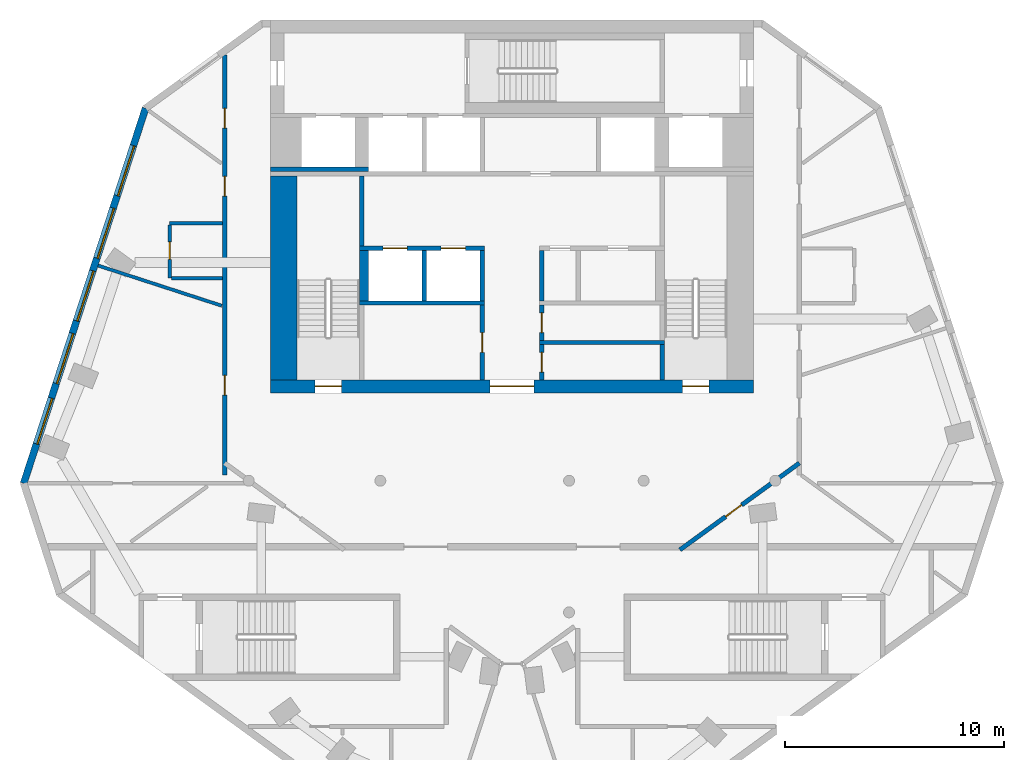
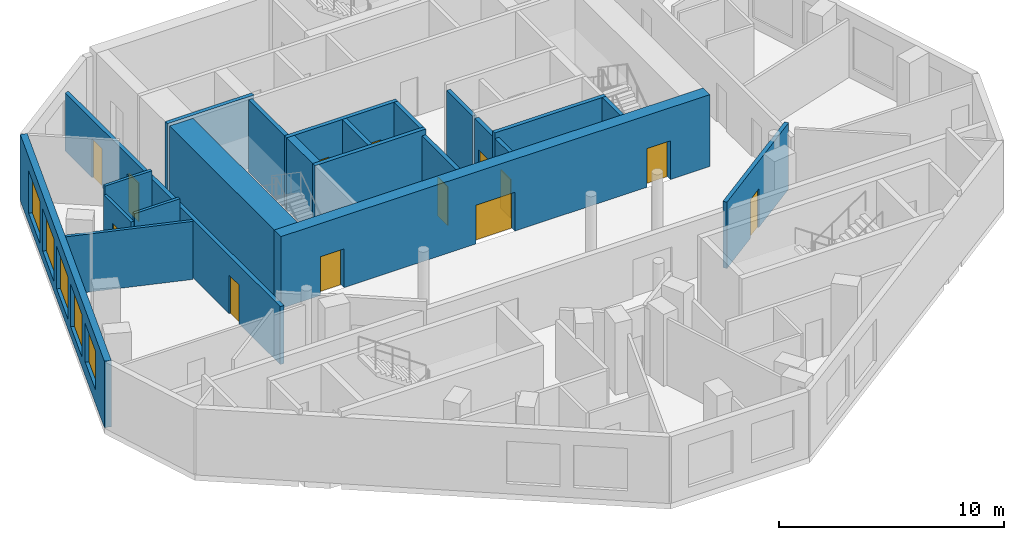
# One storey, part 3 of 8: 22 walls, 13 doors, 5 windows, 18 openings.
"""IFC4 building model written with IfcOpenShell, lengths in metres."""

from ifc_helpers import new_model, si_unit, direction, frame, frame_2d, origin, place, context, subcontext, project, spatial, rectangle, extrude, material, layer, layer_set, type_object, element, fill, save


model = new_model("IFC4")

# Units and contexts
model_context = context("Model", 3, precision=1e-05, world=origin(), true_north=direction((0.0, 1.0)))
body_context = subcontext(model_context, "Body", "Model", "MODEL_VIEW")
ifc_project = project(units=[si_unit("LENGTHUNIT", "METRE"), si_unit("AREAUNIT", "SQUARE_METRE"), si_unit("VOLUMEUNIT", "CUBIC_METRE"), si_unit("PLANEANGLEUNIT", "RADIAN"), si_unit("MASSUNIT", "GRAM", prefix="KILO")], contexts=[model_context])

# Site, building, storey
site_placement = place(None, origin())
site = spatial("IfcSite", under=ifc_project, at=site_placement, CompositionType="ELEMENT")
building_placement = place(site_placement, origin())
building = spatial("IfcBuilding", under=site, at=building_placement, Name="White Candle Pilgrim Tower", CompositionType="ELEMENT")
storey_placement = place(building_placement, frame((0.0, 0.0, 310.0)))
storey = spatial("IfcBuildingStorey", under=building, at=storey_placement, Name="L73", CompositionType="ELEMENT", Elevation=310.0)

# Wall
ifc_material_1 = material(Name="Concrete C40/50", Category="concrete")
ifc_layer_1 = layer(ifc_material_1, 0.199951171875)
ifc_layer_set_1 = layer_set([ifc_layer_1], Name="Core wall 200 mm Concrete C40/50")
wall_type_1 = type_object("IfcWallType", Name="Core wall 200 mm Concrete C40/50", PredefinedType="SHEAR", material=ifc_layer_set_1)
wall_1_placement = place(storey_placement, frame((59.0, 81.199951171875, 0.0), z_axis=(0.0, 0.0, 1.0), x_axis=(1.0, 0.0, 0.0)))
element("IfcWall", 1, at=wall_1_placement, inside=storey, type_object=wall_type_1, Name="WL-L73-C34", PredefinedType="SHEAR", context=body_context, shape_type="SweptSolid", body=[
    extrude(rectangle(XDim=4.449951171875, YDim=0.199951171875, at=frame_2d((2.22509765625, 0.0))), origin(), (0.0, 0.0, 1.0), 3.89990234375),
])

# Wall, openings, doors
ifc_material_2 = material(Name="Gypsum board on steel studs", Category="steel")
ifc_layer_2 = layer(ifc_material_2, 0.199951171875)
ifc_layer_set_2 = layer_set([ifc_layer_2], Name="Corridor wall 200 mm EI 45")
wall_type_2 = type_object("IfcWallType", Name="Corridor wall 200 mm EI 45", PredefinedType="PARTITIONING", material=ifc_layer_set_2)
wall_2_placement = place(storey_placement, frame((56.89990234375, 67.252197265625, 0.0), z_axis=(0.0, 0.0, 1.0), x_axis=(0.0, 1.0, 0.0)))
wall_2 = element("IfcWall", 2, at=wall_2_placement, inside=storey, type_object=wall_type_2, Name="WL-L73-P004", PredefinedType="PARTITIONING", context=body_context, shape_type="SweptSolid", body=[
    extrude(rectangle(XDim=19.14404296875, YDim=0.199951171875, at=frame_2d((9.572021484375, 0.0))), origin(), (0.0, 0.0, 1.0), 3.14990234375),
])
opening_1_placement = place(wall_2_placement, frame((3.655517578125, 0.0, 0.0)))
opening_1 = element("IfcOpeningElement", 3, at=opening_1_placement, cuts=wall_2, Name="Opening T22-110", PredefinedType="OPENING", context=body_context, shape_type="SweptSolid", body=[
    extrude(rectangle(XDim=0.89990234375, YDim=2.10009765625, at=frame_2d((0.449951171875, 1.050048828125))), frame((0.0, 0.10986328125, 0.0), z_axis=(0.0, -1.0, 0.0), x_axis=(1.0, 0.0, 0.0)), (0.0, 0.0, 1.0), 0.219970703125),
])
opening_2_placement = place(wall_2_placement, frame((12.722412109375, 0.0, 0.0)))
opening_2 = element("IfcOpeningElement", 4, at=opening_2_placement, cuts=wall_2, Name="Opening T22-111", PredefinedType="OPENING", context=body_context, shape_type="SweptSolid", body=[
    extrude(rectangle(XDim=0.89990234375, YDim=2.10009765625, at=frame_2d((0.449951171875, 1.050048828125))), frame((0.0, 0.10986328125, 0.0), z_axis=(0.0, -1.0, 0.0), x_axis=(1.0, 0.0, 0.0)), (0.0, 0.0, 1.0), 0.219970703125),
])
opening_3_placement = place(wall_2_placement, frame((15.822509765625, 0.0, 0.0)))
opening_3 = element("IfcOpeningElement", 5, at=opening_3_placement, cuts=wall_2, Name="Opening T22-112", PredefinedType="OPENING", context=body_context, shape_type="SweptSolid", body=[
    extrude(rectangle(XDim=0.89990234375, YDim=2.10009765625, at=frame_2d((0.449951171875, 1.050048828125))), frame((0.0, 0.10986328125, 0.0), z_axis=(0.0, -1.0, 0.0), x_axis=(1.0, 0.0, 0.0)), (0.0, 0.0, 1.0), 0.219970703125),
])
ifc_material_3 = material(Name="Steel door leaf", Category="steel")
door_type_1 = type_object("IfcDoorType", Name="Fire door 900 x 2100 EI 30", OperationType="NOTDEFINED", PredefinedType="DOOR", material=ifc_material_3)
door_1_placement = place(opening_1_placement, origin())
door_1 = element("IfcDoor", 6, at=door_1_placement, inside=storey, type_object=door_type_1, Name="Door T22-110", OperationType="SINGLE_SWING_RIGHT", OverallHeight=2.10009765625, OverallWidth=0.89990234375, PredefinedType="DOOR", context=body_context, shape_type="SweptSolid", body=[
    extrude(rectangle(XDim=0.89990234375, YDim=2.10009765625, at=frame_2d((0.449951171875, 1.050048828125))), frame((0.0, 0.02490234375, 0.0), z_axis=(0.0, -1.0, 0.0), x_axis=(1.0, 0.0, 0.0)), (0.0, 0.0, 1.0), 0.050048828125),
])
fill(opening_1, door_1)
door_2_placement = place(opening_2_placement, origin())
door_2 = element("IfcDoor", 7, at=door_2_placement, inside=storey, type_object=door_type_1, Name="Door T22-111", OperationType="SINGLE_SWING_LEFT", OverallHeight=2.10009765625, OverallWidth=0.89990234375, PredefinedType="DOOR", context=body_context, shape_type="SweptSolid", body=[
    extrude(rectangle(XDim=0.89990234375, YDim=2.10009765625, at=frame_2d((0.449951171875, 1.050048828125))), frame((0.0, 0.02490234375, 0.0), z_axis=(0.0, -1.0, 0.0), x_axis=(1.0, 0.0, 0.0)), (0.0, 0.0, 1.0), 0.050048828125),
])
fill(opening_2, door_2)
door_3_placement = place(opening_3_placement, origin())
door_3 = element("IfcDoor", 8, at=door_3_placement, inside=storey, type_object=door_type_1, Name="Door T22-112", OperationType="SINGLE_SWING_RIGHT", OverallHeight=2.10009765625, OverallWidth=0.89990234375, PredefinedType="DOOR", context=body_context, shape_type="SweptSolid", body=[
    extrude(rectangle(XDim=0.89990234375, YDim=2.10009765625, at=frame_2d((0.449951171875, 1.050048828125))), frame((0.0, 0.02490234375, 0.0), z_axis=(0.0, -1.0, 0.0), x_axis=(1.0, 0.0, 0.0)), (0.0, 0.0, 1.0), 0.050048828125),
])
fill(opening_3, door_3)

# Wall, opening, door
wall_3_placement = place(storey_placement, frame((83.10009765625, 67.80859375, 0.0), z_axis=(0.0, 0.0, 1.0), x_axis=(-0.809033820778, -0.587762092038, 0.0)))
wall_3 = element("IfcWall", 9, at=wall_3_placement, inside=storey, type_object=wall_type_2, Name="WL-L73-P006", PredefinedType="PARTITIONING", context=body_context, shape_type="SweptSolid", body=[
    extrude(rectangle(XDim=6.73486328125, YDim=0.199951171875, at=frame_2d((3.367431640625, 0.0))), origin(), (0.0, 0.0, 1.0), 3.60009765625),
])
opening_4_placement = place(wall_3_placement, frame((3.254150390625, 0.0, 0.0)))
opening_4 = element("IfcOpeningElement", 10, at=opening_4_placement, cuts=wall_3, Name="Opening T22-118", PredefinedType="OPENING", context=body_context, shape_type="SweptSolid", body=[
    extrude(rectangle(XDim=0.89990234375, YDim=2.10009765625, at=frame_2d((0.449951171875, 1.050048828125))), frame((0.0, 0.10986328125, 0.0), z_axis=(0.0, -1.0, 0.0), x_axis=(1.0, 0.0, 0.0)), (0.0, 0.0, 1.0), 0.219970703125),
])
door_4_placement = place(opening_4_placement, origin())
door_4 = element("IfcDoor", 11, at=door_4_placement, inside=storey, type_object=door_type_1, Name="Door T22-118", OperationType="SINGLE_SWING_RIGHT", OverallHeight=2.10009765625, OverallWidth=0.89990234375, PredefinedType="DOOR", context=body_context, shape_type="SweptSolid", body=[
    extrude(rectangle(XDim=0.89990234375, YDim=2.10009765625, at=frame_2d((0.449951171875, 1.050048828125))), frame((0.0, 0.02490234375, 0.0), z_axis=(0.0, -1.0, 0.0), x_axis=(1.0, 0.0, 0.0)), (0.0, 0.0, 1.0), 0.050048828125),
])
fill(opening_4, door_4)

# Wall, openings, windows
ifc_material_4 = material(Name="Precast concrete C40/50", Category="concrete")
ifc_layer_3 = layer(ifc_material_4, 0.320068359375)
ifc_layer_set_3 = layer_set([ifc_layer_3], Name="Facade wall EW1 precast concrete C40/50 pier wall with timber-lined reveals")
wall_type_3 = type_object("IfcWallType", Name="Facade wall EW1 precast concrete C40/50 pier wall with timber-lined reveals", PredefinedType="SOLIDWALL", material=ifc_layer_set_3)
wall_4_placement = place(storey_placement, frame((53.298095703125, 83.97705078125, 0.0), z_axis=(0.0, 0.0, 1.0), x_axis=(-0.309017883781, -0.951056227309, 0.0)))
wall_4 = element("IfcWall", 12, at=wall_4_placement, inside=storey, type_object=wall_type_3, Name="Facade wall L73 WNW", PredefinedType="SOLIDWALL", context=body_context, shape_type="SweptSolid", body=[
    extrude(rectangle(XDim=17.972900390625, YDim=0.320068359375, at=frame_2d((8.986328125, 0.0))), origin(), (0.0, 0.0, 1.0), 3.60009765625),
])
opening_5_placement = place(wall_4_placement, frame((1.78662109375, 0.0, 0.550048828125)))
opening_5 = element("IfcOpeningElement", 13, at=opening_5_placement, cuts=wall_4, Name="Opening W5", PredefinedType="OPENING", context=body_context, shape_type="SweptSolid", body=[
    extrude(rectangle(XDim=2.39990234375, YDim=2.300048828125, at=frame_2d((1.199951171875, 1.14990234375))), frame((0.0, 0.169921875, 0.0), z_axis=(0.0, -1.0, 0.0), x_axis=(1.0, 0.0, 0.0)), (0.0, 0.0, 1.0), 0.340087890625),
])
opening_6_placement = place(wall_4_placement, frame((4.78662109375, 0.0, 0.550048828125)))
opening_6 = element("IfcOpeningElement", 14, at=opening_6_placement, cuts=wall_4, Name="Opening W5", PredefinedType="OPENING", context=body_context, shape_type="SweptSolid", body=[
    extrude(rectangle(XDim=2.39990234375, YDim=2.300048828125, at=frame_2d((1.199951171875, 1.14990234375))), frame((0.0, 0.169921875, 0.0), z_axis=(0.0, -1.0, 0.0), x_axis=(1.0, 0.0, 0.0)), (0.0, 0.0, 1.0), 0.340087890625),
])
opening_7_placement = place(wall_4_placement, frame((7.78662109375, 0.0, 0.550048828125)))
opening_7 = element("IfcOpeningElement", 15, at=opening_7_placement, cuts=wall_4, Name="Opening W5", PredefinedType="OPENING", context=body_context, shape_type="SweptSolid", body=[
    extrude(rectangle(XDim=2.39990234375, YDim=2.300048828125, at=frame_2d((1.199951171875, 1.14990234375))), frame((0.0, 0.169921875, 0.0), z_axis=(0.0, -1.0, 0.0), x_axis=(1.0, 0.0, 0.0)), (0.0, 0.0, 1.0), 0.340087890625),
])
opening_8_placement = place(wall_4_placement, frame((10.78662109375, 0.0, 0.550048828125)))
opening_8 = element("IfcOpeningElement", 16, at=opening_8_placement, cuts=wall_4, Name="Opening W5", PredefinedType="OPENING", context=body_context, shape_type="SweptSolid", body=[
    extrude(rectangle(XDim=2.39990234375, YDim=2.300048828125, at=frame_2d((1.199951171875, 1.14990234375))), frame((0.0, 0.169921875, 0.0), z_axis=(0.0, -1.0, 0.0), x_axis=(1.0, 0.0, 0.0)), (0.0, 0.0, 1.0), 0.340087890625),
])
opening_9_placement = place(wall_4_placement, frame((13.886474609375, 0.0, 0.75)))
opening_9 = element("IfcOpeningElement", 17, at=opening_9_placement, cuts=wall_4, Name="Opening W4", PredefinedType="OPENING", context=body_context, shape_type="SweptSolid", body=[
    extrude(rectangle(XDim=2.199951171875, YDim=2.10009765625, at=frame_2d((1.10009765625, 1.050048828125))), frame((0.0, 0.169921875, 0.0), z_axis=(0.0, -1.0, 0.0), x_axis=(1.0, 0.0, 0.0)), (0.0, 0.0, 1.0), 0.340087890625),
])
ifc_material_5 = material(Name="Timber frame with triple glazing", Category="wood")
window_type_1 = type_object("IfcWindowType", Name="Window W4 2200x2100 timber frame triple glazing", PartitioningType="SINGLE_PANEL", PredefinedType="WINDOW", material=ifc_material_5)
window_1_placement = place(opening_9_placement, origin())
window_1 = element("IfcWindow", 18, at=window_1_placement, inside=storey, type_object=window_type_1, Name="Window W4 L73 WNW 5", OverallHeight=2.10009765625, OverallWidth=2.199951171875, PartitioningType="SINGLE_PANEL", PredefinedType="WINDOW", context=body_context, shape_type="SweptSolid", body=[
    extrude(rectangle(XDim=2.199951171875, YDim=2.10009765625, at=frame_2d((1.10009765625, 1.050048828125))), frame((0.0, 0.070068359375, 0.0), z_axis=(0.0, -1.0, 0.0), x_axis=(1.0, 0.0, 0.0)), (0.0, 0.0, 1.0), 0.06005859375),
])
fill(opening_9, window_1)
window_type_2 = type_object("IfcWindowType", Name="Window W5 2400x2300 timber frame triple glazing", PartitioningType="SINGLE_PANEL", PredefinedType="WINDOW", material=ifc_material_5)
window_2_placement = place(opening_5_placement, origin())
window_2 = element("IfcWindow", 19, at=window_2_placement, inside=storey, type_object=window_type_2, Name="Window W5 L73 WNW 1", OverallHeight=2.300048828125, OverallWidth=2.39990234375, PartitioningType="SINGLE_PANEL", PredefinedType="WINDOW", context=body_context, shape_type="SweptSolid", body=[
    extrude(rectangle(XDim=2.39990234375, YDim=2.300048828125, at=frame_2d((1.199951171875, 1.14990234375))), frame((0.0, 0.070068359375, 0.0), z_axis=(0.0, -1.0, 0.0), x_axis=(1.0, 0.0, 0.0)), (0.0, 0.0, 1.0), 0.06005859375),
])
fill(opening_5, window_2)
window_3_placement = place(opening_6_placement, origin())
window_3 = element("IfcWindow", 20, at=window_3_placement, inside=storey, type_object=window_type_2, Name="Window W5 L73 WNW 2", OverallHeight=2.300048828125, OverallWidth=2.39990234375, PartitioningType="SINGLE_PANEL", PredefinedType="WINDOW", context=body_context, shape_type="SweptSolid", body=[
    extrude(rectangle(XDim=2.39990234375, YDim=2.300048828125, at=frame_2d((1.199951171875, 1.14990234375))), frame((0.0, 0.070068359375, 0.0), z_axis=(0.0, -1.0, 0.0), x_axis=(1.0, 0.0, 0.0)), (0.0, 0.0, 1.0), 0.06005859375),
])
fill(opening_6, window_3)
window_4_placement = place(opening_7_placement, origin())
window_4 = element("IfcWindow", 21, at=window_4_placement, inside=storey, type_object=window_type_2, Name="Window W5 L73 WNW 3", OverallHeight=2.300048828125, OverallWidth=2.39990234375, PartitioningType="SINGLE_PANEL", PredefinedType="WINDOW", context=body_context, shape_type="SweptSolid", body=[
    extrude(rectangle(XDim=2.39990234375, YDim=2.300048828125, at=frame_2d((1.199951171875, 1.14990234375))), frame((0.0, 0.070068359375, 0.0), z_axis=(0.0, -1.0, 0.0), x_axis=(1.0, 0.0, 0.0)), (0.0, 0.0, 1.0), 0.06005859375),
])
fill(opening_7, window_4)
window_5_placement = place(opening_8_placement, origin())
window_5 = element("IfcWindow", 22, at=window_5_placement, inside=storey, type_object=window_type_2, Name="Window W5 L73 WNW 4", OverallHeight=2.300048828125, OverallWidth=2.39990234375, PartitioningType="SINGLE_PANEL", PredefinedType="WINDOW", context=body_context, shape_type="SweptSolid", body=[
    extrude(rectangle(XDim=2.39990234375, YDim=2.300048828125, at=frame_2d((1.199951171875, 1.14990234375))), frame((0.0, 0.070068359375, 0.0), z_axis=(0.0, -1.0, 0.0), x_axis=(1.0, 0.0, 0.0)), (0.0, 0.0, 1.0), 0.06005859375),
])
fill(opening_8, window_5)

# Wall, opening, door
ifc_layer_4 = layer(ifc_material_2, 0.199951171875)
ifc_layer_set_4 = layer_set([ifc_layer_4], Name="Lobby wall 200 mm EI 60")
wall_type_4 = type_object("IfcWallType", Name="Lobby wall 200 mm EI 60", PredefinedType="PARTITIONING", material=ifc_layer_set_4)
wall_5_placement = place(storey_placement, frame((68.64990234375, 71.60009765625, 0.0), z_axis=(0.0, 0.0, 1.0), x_axis=(0.0, 1.0, 0.0)))
wall_5 = element("IfcWall", 23, at=wall_5_placement, inside=storey, type_object=wall_type_4, Name="WL-L73-C14", PredefinedType="PARTITIONING", context=body_context, shape_type="SweptSolid", body=[
    extrude(rectangle(XDim=3.39990234375, YDim=0.199951171875, at=frame_2d((1.699951171875, 0.0))), origin(), (0.0, 0.0, 1.0), 3.60009765625),
])
opening_10_placement = place(wall_5_placement, frame((1.25, 0.0, 0.0)))
opening_10 = element("IfcOpeningElement", 24, at=opening_10_placement, cuts=wall_5, Name="Opening T22-005", PredefinedType="OPENING", context=body_context, shape_type="SweptSolid", body=[
    extrude(rectangle(XDim=0.89990234375, YDim=2.10009765625, at=frame_2d((0.449951171875, 1.050048828125))), frame((0.0, 0.10986328125, 0.0), z_axis=(0.0, -1.0, 0.0), x_axis=(1.0, 0.0, 0.0)), (0.0, 0.0, 1.0), 0.219970703125),
])
door_5_placement = place(opening_10_placement, origin())
door_5 = element("IfcDoor", 25, at=door_5_placement, inside=storey, type_object=door_type_1, Name="Door T22-005", OperationType="SINGLE_SWING_LEFT", OverallHeight=2.10009765625, OverallWidth=0.89990234375, PredefinedType="DOOR", context=body_context, shape_type="SweptSolid", body=[
    extrude(rectangle(XDim=0.89990234375, YDim=2.10009765625, at=frame_2d((0.449951171875, 1.050048828125))), frame((0.0, 0.02490234375, 0.0), z_axis=(0.0, -1.0, 0.0), x_axis=(1.0, 0.0, 0.0)), (0.0, 0.0, 1.0), 0.050048828125),
])
fill(opening_10, door_5)

wall_6_placement = place(storey_placement, frame((71.35009765625, 71.60009765625, 0.0), z_axis=(0.0, 0.0, 1.0), x_axis=(0.0, 1.0, 0.0)))
wall_6 = element("IfcWall", 26, at=wall_6_placement, inside=storey, type_object=wall_type_4, Name="WL-L73-C15", PredefinedType="PARTITIONING", context=body_context, shape_type="SweptSolid", body=[
    extrude(rectangle(XDim=1.599853515625, YDim=0.199951171875, at=frame_2d((0.7998046875, 0.0))), origin(), (0.0, 0.0, 1.0), 3.60009765625),
])
opening_11_placement = place(wall_6_placement, frame((0.35009765625, 0.0, 0.0)))
opening_11 = element("IfcOpeningElement", 27, at=opening_11_placement, cuts=wall_6, Name="Opening T22-006", PredefinedType="OPENING", context=body_context, shape_type="SweptSolid", body=[
    extrude(rectangle(XDim=0.89990234375, YDim=2.10009765625, at=frame_2d((0.449951171875, 1.050048828125))), frame((0.0, 0.10986328125, 0.0), z_axis=(0.0, -1.0, 0.0), x_axis=(1.0, 0.0, 0.0)), (0.0, 0.0, 1.0), 0.219970703125),
])
door_6_placement = place(opening_11_placement, origin())
door_6 = element("IfcDoor", 28, at=door_6_placement, inside=storey, type_object=door_type_1, Name="Door T22-006", OperationType="SINGLE_SWING_RIGHT", OverallHeight=2.10009765625, OverallWidth=0.89990234375, PredefinedType="DOOR", context=body_context, shape_type="SweptSolid", body=[
    extrude(rectangle(XDim=0.89990234375, YDim=2.10009765625, at=frame_2d((0.449951171875, 1.050048828125))), frame((0.0, 0.02490234375, 0.0), z_axis=(0.0, -1.0, 0.0), x_axis=(1.0, 0.0, 0.0)), (0.0, 0.0, 1.0), 0.050048828125),
])
fill(opening_11, door_6)

wall_7_placement = place(storey_placement, frame((71.35009765625, 73.39990234375, 0.0), z_axis=(0.0, 0.0, 1.0), x_axis=(0.0, 1.0, 0.0)))
wall_7 = element("IfcWall", 29, at=wall_7_placement, inside=storey, type_object=wall_type_4, Name="WL-L73-C19", PredefinedType="PARTITIONING", context=body_context, shape_type="SweptSolid", body=[
    extrude(rectangle(XDim=1.60009765625, YDim=0.199951171875, at=frame_2d((0.800048828125, 0.0))), origin(), (0.0, 0.0, 1.0), 3.60009765625),
])
opening_12_placement = place(wall_7_placement, frame((0.35009765625, 0.0, 0.0)))
opening_12 = element("IfcOpeningElement", 30, at=opening_12_placement, cuts=wall_7, Name="Opening T22-007", PredefinedType="OPENING", context=body_context, shape_type="SweptSolid", body=[
    extrude(rectangle(XDim=0.89990234375, YDim=2.10009765625, at=frame_2d((0.449951171875, 1.050048828125))), frame((0.0, 0.10986328125, 0.0), z_axis=(0.0, -1.0, 0.0), x_axis=(1.0, 0.0, 0.0)), (0.0, 0.0, 1.0), 0.219970703125),
])
door_7_placement = place(opening_12_placement, origin())
door_7 = element("IfcDoor", 31, at=door_7_placement, inside=storey, type_object=door_type_1, Name="Door T22-007", OperationType="SINGLE_SWING_LEFT", OverallHeight=2.10009765625, OverallWidth=0.89990234375, PredefinedType="DOOR", context=body_context, shape_type="SweptSolid", body=[
    extrude(rectangle(XDim=0.89990234375, YDim=2.10009765625, at=frame_2d((0.449951171875, 1.050048828125))), frame((0.0, 0.02490234375, 0.0), z_axis=(0.0, -1.0, 0.0), x_axis=(1.0, 0.0, 0.0)), (0.0, 0.0, 1.0), 0.050048828125),
])
fill(opening_12, door_7)

# Walls
wall_8_placement = place(storey_placement, frame((71.35009765625, 75.199951171875, 0.0), z_axis=(0.0, 0.0, 1.0), x_axis=(0.0, 1.0, 0.0)))
element("IfcWall", 32, at=wall_8_placement, inside=storey, type_object=wall_type_4, Name="WL-L73-C26", PredefinedType="PARTITIONING", context=body_context, shape_type="SweptSolid", body=[
    extrude(rectangle(XDim=2.300048828125, YDim=0.199951171875, at=frame_2d((1.14990234375, 0.0))), origin(), (0.0, 0.0, 1.0), 3.60009765625),
])
ifc_layer_5 = layer(ifc_material_2, 0.14990234375)
ifc_layer_set_5 = layer_set([ifc_layer_5], Name="Partition 150 mm EI 60")
wall_type_5 = type_object("IfcWallType", Name="Partition 150 mm EI 60", PredefinedType="PARTITIONING", material=ifc_layer_set_5)
wall_9_placement = place(storey_placement, frame((51.136962890625, 76.8076171875, 0.0), z_axis=(0.0, 0.0, 1.0), x_axis=(0.951056152135, -0.309018115143, 0.0)))
element("IfcWall", 33, at=wall_9_placement, inside=storey, type_object=wall_type_5, Name="WL-L73-P025", PredefinedType="PARTITIONING", context=body_context, shape_type="SweptSolid", body=[
    extrude(rectangle(XDim=5.93017578125, YDim=0.14990234375, at=frame_2d((2.965087890625, 0.0))), origin(), (0.0, 0.0, 1.0), 3.14990234375),
])
wall_10_placement = place(storey_placement, frame((56.800048828125, 78.735107421875, 0.0), z_axis=(0.0, 0.0, 1.0), x_axis=(-1.0, 0.0, 0.0)))
element("IfcWall", 34, at=wall_10_placement, inside=storey, type_object=wall_type_5, Name="WL-L73-P026", PredefinedType="PARTITIONING", context=body_context, shape_type="SweptSolid", body=[
    extrude(rectangle(XDim=2.400146484375, YDim=0.14990234375, at=frame_2d((1.2001953125, 0.0))), origin(), (0.0, 0.0, 1.0), 3.60009765625),
])

# Wall, opening, door
wall_11_placement = place(storey_placement, frame((54.39990234375, 76.235107421875, 0.0), z_axis=(0.0, 0.0, 1.0), x_axis=(0.0, 1.0, 0.0)))
wall_11 = element("IfcWall", 35, at=wall_11_placement, inside=storey, type_object=wall_type_5, Name="WL-L73-P027", PredefinedType="PARTITIONING", context=body_context, shape_type="SweptSolid", body=[
    extrude(rectangle(XDim=2.425048828125, YDim=0.14990234375, at=frame_2d((1.21240234375, 0.0))), origin(), (0.0, 0.0, 1.0), 3.14990234375),
])
opening_13_placement = place(wall_11_placement, frame((0.85009765625, 0.0, 0.0)))
opening_13 = element("IfcOpeningElement", 36, at=opening_13_placement, cuts=wall_11, Name="Opening T22-101", PredefinedType="OPENING", context=body_context, shape_type="SweptSolid", body=[
    extrude(rectangle(XDim=0.800048828125, YDim=2.10009765625, at=frame_2d((0.39990234375, 1.050048828125))), frame((0.0, 0.0849609375, 0.0), z_axis=(0.0, -1.0, 0.0), x_axis=(1.0, 0.0, 0.0)), (0.0, 0.0, 1.0), 0.169921875),
])
door_type_2 = type_object("IfcDoorType", Name="Fire door 800 x 2100 EI 30", OperationType="NOTDEFINED", PredefinedType="DOOR", material=ifc_material_3)
door_8_placement = place(opening_13_placement, origin())
door_8 = element("IfcDoor", 37, at=door_8_placement, inside=storey, type_object=door_type_2, Name="Door T22-101", OperationType="SINGLE_SWING_LEFT", OverallHeight=2.10009765625, OverallWidth=0.800048828125, PredefinedType="DOOR", context=body_context, shape_type="SweptSolid", body=[
    extrude(rectangle(XDim=0.800048828125, YDim=2.10009765625, at=frame_2d((0.39990234375, 1.050048828125))), frame((0.0, 0.02490234375, 0.0), z_axis=(0.0, -1.0, 0.0), x_axis=(1.0, 0.0, 0.0)), (0.0, 0.0, 1.0), 0.050048828125),
])
fill(opening_13, door_8)

# Walls
wall_12_placement = place(storey_placement, frame((56.800048828125, 76.235107421875, 0.0), z_axis=(0.0, 0.0, 1.0), x_axis=(-1.0, 0.0, 0.0)))
element("IfcWall", 38, at=wall_12_placement, inside=storey, type_object=wall_type_5, Name="WL-L73-P028", PredefinedType="PARTITIONING", context=body_context, shape_type="SweptSolid", body=[
    extrude(rectangle(XDim=2.324951171875, YDim=0.14990234375, at=frame_2d((1.16259765625, 0.0))), origin(), (0.0, 0.0, 1.0), 3.60009765625),
])
ifc_layer_6 = layer(ifc_material_1, 0.199951171875)
ifc_layer_set_6 = layer_set([ifc_layer_6], Name="Shaft wall 200 mm Concrete C40/50")
wall_type_6 = type_object("IfcWallType", Name="Shaft wall 200 mm Concrete C40/50", PredefinedType="SHEAR", material=ifc_layer_set_6)
for number, where, z_axis, x_axis, name in (
    (39, (66.0, 75.199951171875, 0.0), (0.0, 0.0, 1.0), (0.0, 1.0, 0.0), "WL-L73-C24"),
    (40, (68.64990234375, 75.199951171875, 0.0), (0.0, 0.0, 1.0), (0.0, 1.0, 0.0), "WL-L73-C25"),
):
    element("IfcWall", number, at=place(storey_placement, frame(where, z_axis=z_axis, x_axis=x_axis)), inside=storey, type_object=wall_type_6, Name=name, PredefinedType="SHEAR", context=body_context, shape_type="SweptSolid", body=[
        extrude(rectangle(XDim=2.300048828125, YDim=0.199951171875, at=frame_2d((1.14990234375, 0.0))), origin(), (0.0, 0.0, 1.0), 3.89990234375),
    ])
ifc_layer_7 = layer(ifc_material_1, 1.199951171875)
ifc_layer_set_7 = layer_set([ifc_layer_7], Name="Stair shaft wall 1200 mm Concrete C40/50")
wall_type_7 = type_object("IfcWallType", Name="Stair shaft wall 1200 mm Concrete C40/50", PredefinedType="SHEAR", material=ifc_layer_set_7)
wall_13_placement = place(storey_placement, frame((59.60009765625, 71.60009765625, 0.0), z_axis=(0.0, 0.0, 1.0), x_axis=(0.0, 1.0, 0.0)))
element("IfcWall", 41, at=wall_13_placement, inside=storey, type_object=wall_type_7, Name="WL-L73-C12", PredefinedType="SHEAR", context=body_context, shape_type="SweptSolid", body=[
    extrude(rectangle(XDim=9.2998046875, YDim=1.199951171875, at=frame_2d((4.64990234375, 0.0))), origin(), (0.0, 0.0, 1.0), 3.89990234375),
])
ifc_layer_8 = layer(ifc_material_1, 0.199951171875)
ifc_layer_set_8 = layer_set([ifc_layer_8], Name="Stair shaft wall 200 mm Concrete C40/50")
wall_type_8 = type_object("IfcWallType", Name="Stair shaft wall 200 mm Concrete C40/50", PredefinedType="SHEAR", material=ifc_layer_set_8)
wall_14_placement = place(storey_placement, frame((76.85009765625, 71.60009765625, 0.0), z_axis=(0.0, 0.0, 1.0), x_axis=(0.0, 1.0, 0.0)))
element("IfcWall", 42, at=wall_14_placement, inside=storey, type_object=wall_type_8, Name="WL-L73-C16", PredefinedType="SHEAR", context=body_context, shape_type="SweptSolid", body=[
    extrude(rectangle(XDim=1.599853515625, YDim=0.199951171875, at=frame_2d((0.7998046875, 0.0))), origin(), (0.0, 0.0, 1.0), 3.89990234375),
])
for number, where, z_axis, x_axis, name in (
    (43, (71.25, 73.300048828125, 0.0), (0.0, 0.0, 1.0), (1.0, 0.0, 0.0), "WL-L73-C18"),
    (44, (63.050048828125, 75.10009765625, 0.0), (0.0, 0.0, 1.0), (1.0, 0.0, 0.0), "WL-L73-C21"),
):
    element("IfcWall", number, at=place(storey_placement, frame(where, z_axis=z_axis, x_axis=x_axis)), inside=storey, type_object=wall_type_8, Name=name, PredefinedType="SHEAR", context=body_context, shape_type="SweptSolid", body=[
        extrude(rectangle(XDim=5.699951171875, YDim=0.199951171875, at=frame_2d((2.85009765625, 0.0))), origin(), (0.0, 0.0, 1.0), 3.89990234375),
    ])

# Wall, openings, doors
wall_15_placement = place(storey_placement, frame((63.050048828125, 77.60009765625, 0.0), z_axis=(0.0, 0.0, 1.0), x_axis=(1.0, 0.0, 0.0)))
wall_15 = element("IfcWall", 45, at=wall_15_placement, inside=storey, type_object=wall_type_8, Name="WL-L73-C29", PredefinedType="SHEAR", context=body_context, shape_type="SweptSolid", body=[
    extrude(rectangle(XDim=5.699951171875, YDim=0.199951171875, at=frame_2d((2.85009765625, 0.0))), origin(), (0.0, 0.0, 1.0), 3.89990234375),
])
opening_14_placement = place(wall_15_placement, frame((1.074951171875, 0.0, 0.0)))
opening_14 = element("IfcOpeningElement", 46, at=opening_14_placement, cuts=wall_15, Name="Opening T22-014", PredefinedType="OPENING", context=body_context, shape_type="SweptSolid", body=[
    extrude(rectangle(XDim=1.10009765625, YDim=2.10009765625, at=frame_2d((0.550048828125, 1.050048828125))), frame((0.0, 0.10986328125, 0.0), z_axis=(0.0, -1.0, 0.0), x_axis=(1.0, 0.0, 0.0)), (0.0, 0.0, 1.0), 0.219970703125),
])
opening_15_placement = place(wall_15_placement, frame((3.72509765625, 0.0, 0.0)))
opening_15 = element("IfcOpeningElement", 47, at=opening_15_placement, cuts=wall_15, Name="Opening T22-015", PredefinedType="OPENING", context=body_context, shape_type="SweptSolid", body=[
    extrude(rectangle(XDim=1.10009765625, YDim=2.10009765625, at=frame_2d((0.550048828125, 1.050048828125))), frame((0.0, 0.10986328125, 0.0), z_axis=(0.0, -1.0, 0.0), x_axis=(1.0, 0.0, 0.0)), (0.0, 0.0, 1.0), 0.219970703125),
])
ifc_material_6 = material(Name="Stainless steel", Category="steel")
door_type_3 = type_object("IfcDoorType", Name="Lift landing door 1100 x 2100 E 60", OperationType="DOUBLE_DOOR_SLIDING", PredefinedType="DOOR", material=ifc_material_6)
door_9_placement = place(opening_14_placement, origin())
door_9 = element("IfcDoor", 48, at=door_9_placement, inside=storey, type_object=door_type_3, Name="Door T22-014", OperationType="DOUBLE_DOOR_SLIDING", OverallHeight=2.10009765625, OverallWidth=1.10009765625, PredefinedType="DOOR", context=body_context, shape_type="SweptSolid", body=[
    extrude(rectangle(XDim=1.10009765625, YDim=2.10009765625, at=frame_2d((0.550048828125, 1.050048828125))), frame((0.0, 0.02490234375, 0.0), z_axis=(0.0, -1.0, 0.0), x_axis=(1.0, 0.0, 0.0)), (0.0, 0.0, 1.0), 0.050048828125),
])
fill(opening_14, door_9)
door_10_placement = place(opening_15_placement, origin())
door_10 = element("IfcDoor", 49, at=door_10_placement, inside=storey, type_object=door_type_3, Name="Door T22-015", OperationType="DOUBLE_DOOR_SLIDING", OverallHeight=2.10009765625, OverallWidth=1.10009765625, PredefinedType="DOOR", context=body_context, shape_type="SweptSolid", body=[
    extrude(rectangle(XDim=1.10009765625, YDim=2.10009765625, at=frame_2d((0.550048828125, 1.050048828125))), frame((0.0, 0.02490234375, 0.0), z_axis=(0.0, -1.0, 0.0), x_axis=(1.0, 0.0, 0.0)), (0.0, 0.0, 1.0), 0.050048828125),
])
fill(opening_15, door_10)

# Walls
wall_16_placement = place(storey_placement, frame((63.14990234375, 77.699951171875, 0.0), z_axis=(0.0, 0.0, 1.0), x_axis=(0.0, 1.0, 0.0)))
element("IfcWall", 50, at=wall_16_placement, inside=storey, type_object=wall_type_8, Name="WL-L73-C31", PredefinedType="SHEAR", context=body_context, shape_type="SweptSolid", body=[
    extrude(rectangle(XDim=3.199951171875, YDim=0.199951171875, at=frame_2d((1.60009765625, 0.0))), origin(), (0.0, 0.0, 1.0), 3.89990234375),
])
ifc_layer_9 = layer(ifc_material_1, 0.39990234375)
ifc_layer_set_9 = layer_set([ifc_layer_9], Name="Stair shaft wall 400 mm Concrete C40/50")
wall_type_9 = type_object("IfcWallType", Name="Stair shaft wall 400 mm Concrete C40/50", PredefinedType="SHEAR", material=ifc_layer_set_9)
wall_17_placement = place(storey_placement, frame((63.25, 75.199951171875, 0.0), z_axis=(0.0, 0.0, 1.0), x_axis=(0.0, 1.0, 0.0)))
element("IfcWall", 51, at=wall_17_placement, inside=storey, type_object=wall_type_9, Name="WL-L73-C23", PredefinedType="SHEAR", context=body_context, shape_type="SweptSolid", body=[
    extrude(rectangle(XDim=2.300048828125, YDim=0.39990234375, at=frame_2d((1.14990234375, 0.0))), origin(), (0.0, 0.0, 1.0), 3.89990234375),
])

# Wall, openings, doors
ifc_layer_10 = layer(ifc_material_1, 0.60009765625)
ifc_layer_set_10 = layer_set([ifc_layer_10], Name="Stair shaft wall 600 mm Concrete C40/50")
wall_type_10 = type_object("IfcWallType", Name="Stair shaft wall 600 mm Concrete C40/50", PredefinedType="SHEAR", material=ifc_layer_set_10)
wall_18_placement = place(storey_placement, frame((59.0, 71.300048828125, 0.0), z_axis=(0.0, 0.0, 1.0), x_axis=(1.0, 0.0, 0.0)))
wall_18 = element("IfcWall", 52, at=wall_18_placement, inside=storey, type_object=wall_type_10, Name="WL-L73-C11", PredefinedType="SHEAR", context=body_context, shape_type="SweptSolid", body=[
    extrude(rectangle(XDim=22.0, YDim=0.60009765625, at=frame_2d((11.0, 0.0))), origin(), (0.0, 0.0, 1.0), 3.89990234375),
])
opening_16_placement = place(wall_18_placement, frame((2.02490234375, 0.0, 0.0)))
opening_16 = element("IfcOpeningElement", 53, at=opening_16_placement, cuts=wall_18, Name="Opening T22-001", PredefinedType="OPENING", context=body_context, shape_type="SweptSolid", body=[
    extrude(rectangle(XDim=1.199951171875, YDim=2.10009765625, at=frame_2d((0.60009765625, 1.050048828125))), frame((0.0, 0.31005859375, 0.0), z_axis=(0.0, -1.0, 0.0), x_axis=(1.0, 0.0, 0.0)), (0.0, 0.0, 1.0), 0.6201171875),
])
opening_17_placement = place(wall_18_placement, frame((18.77490234375, 0.0, 0.0)))
opening_17 = element("IfcOpeningElement", 54, at=opening_17_placement, cuts=wall_18, Name="Opening T22-002", PredefinedType="OPENING", context=body_context, shape_type="SweptSolid", body=[
    extrude(rectangle(XDim=1.199951171875, YDim=2.10009765625, at=frame_2d((0.60009765625, 1.050048828125))), frame((0.0, 0.31005859375, 0.0), z_axis=(0.0, -1.0, 0.0), x_axis=(1.0, 0.0, 0.0)), (0.0, 0.0, 1.0), 0.6201171875),
])
opening_18_placement = place(wall_18_placement, frame((10.0, 0.0, 0.0)))
opening_18 = element("IfcOpeningElement", 55, at=opening_18_placement, cuts=wall_18, Name="Opening T22-004", PredefinedType="OPENING", context=body_context, shape_type="SweptSolid", body=[
    extrude(rectangle(XDim=2.0, YDim=2.10009765625, at=frame_2d((1.0, 1.050048828125))), frame((0.0, 0.31005859375, 0.0), z_axis=(0.0, -1.0, 0.0), x_axis=(1.0, 0.0, 0.0)), (0.0, 0.0, 1.0), 0.6201171875),
])
door_type_4 = type_object("IfcDoorType", Name="Fire door 1200 x 2100 EI 60", OperationType="NOTDEFINED", PredefinedType="DOOR", material=ifc_material_3)
door_11_placement = place(opening_16_placement, frame((1.199951171875, 0.0, 0.0), z_axis=(0.0, 0.0, 1.0), x_axis=(-1.0, 0.0, 0.0)))
door_11 = element("IfcDoor", 56, at=door_11_placement, inside=storey, type_object=door_type_4, Name="Door T22-001", OperationType="SINGLE_SWING_RIGHT", OverallHeight=2.10009765625, OverallWidth=1.199951171875, PredefinedType="DOOR", context=body_context, shape_type="SweptSolid", body=[
    extrude(rectangle(XDim=1.199951171875, YDim=2.10009765625, at=frame_2d((0.60009765625, 1.050048828125))), frame((0.0, 0.02490234375, 0.0), z_axis=(0.0, -1.0, 0.0), x_axis=(1.0, 0.0, 0.0)), (0.0, 0.0, 1.0), 0.050048828125),
])
fill(opening_16, door_11)
door_12_placement = place(opening_17_placement, frame((1.199951171875, 0.0, 0.0), z_axis=(0.0, 0.0, 1.0), x_axis=(-1.0, 0.0, 0.0)))
door_12 = element("IfcDoor", 57, at=door_12_placement, inside=storey, type_object=door_type_4, Name="Door T22-002", OperationType="SINGLE_SWING_LEFT", OverallHeight=2.10009765625, OverallWidth=1.199951171875, PredefinedType="DOOR", context=body_context, shape_type="SweptSolid", body=[
    extrude(rectangle(XDim=1.199951171875, YDim=2.10009765625, at=frame_2d((0.60009765625, 1.050048828125))), frame((0.0, 0.02490234375, 0.0), z_axis=(0.0, -1.0, 0.0), x_axis=(1.0, 0.0, 0.0)), (0.0, 0.0, 1.0), 0.050048828125),
])
fill(opening_17, door_12)
door_type_5 = type_object("IfcDoorType", Name="Fire door 2000 x 2100 EI 60", OperationType="NOTDEFINED", PredefinedType="DOOR", material=ifc_material_3)
door_13_placement = place(opening_18_placement, frame((2.0, 0.0, 0.0), z_axis=(0.0, 0.0, 1.0), x_axis=(-1.0, 0.0, 0.0)))
door_13 = element("IfcDoor", 58, at=door_13_placement, inside=storey, type_object=door_type_5, Name="Door T22-004", OperationType="DOUBLE_DOOR_SINGLE_SWING", OverallHeight=2.10009765625, OverallWidth=2.0, PredefinedType="DOOR", context=body_context, shape_type="SweptSolid", body=[
    extrude(rectangle(XDim=2.0, YDim=2.10009765625, at=frame_2d((1.0, 1.050048828125))), frame((0.0, 0.02490234375, 0.0), z_axis=(0.0, -1.0, 0.0), x_axis=(1.0, 0.0, 0.0)), (0.0, 0.0, 1.0), 0.050048828125),
])
fill(opening_18, door_13)

save(model, "model.ifc")
